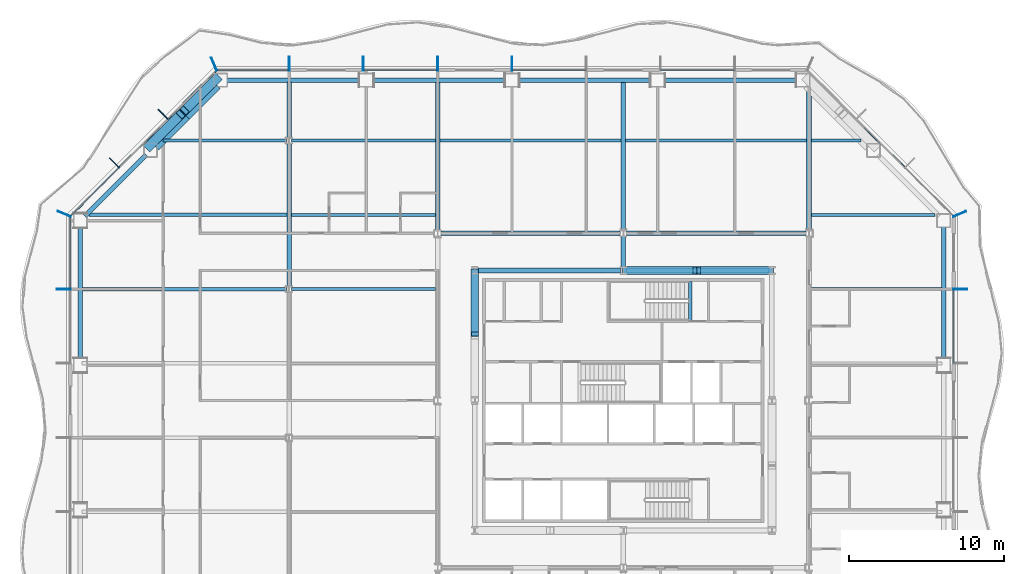
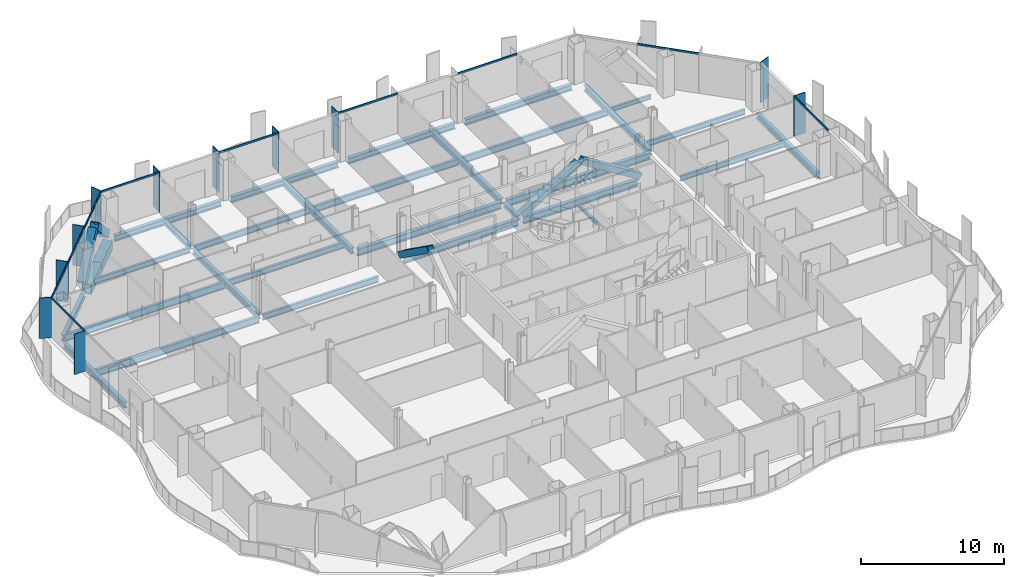
# One storey, part 3 of 18: 31 beams, 26 members, 5 elements without a shape of their own.
"""IFC4 building model written with IfcOpenShell, lengths in metres."""

from ifc_helpers import new_model, si_unit, direction, frame, origin, origin_2d, place, context, subcontext, project, spatial, rectangle, hollow_rectangle, i_section, extrude, material, material_profile, profile_set, type_object, element, aggregate, save


model = new_model("IFC4")

# Units and contexts
model_context = context("Model", 3, precision=1e-05, world=origin(), true_north=direction((0.0, 1.0)))
body_context = subcontext(model_context, "Body", "Model", "MODEL_VIEW")
ifc_project = project(units=[si_unit("LENGTHUNIT", "METRE"), si_unit("AREAUNIT", "SQUARE_METRE"), si_unit("VOLUMEUNIT", "CUBIC_METRE"), si_unit("PLANEANGLEUNIT", "RADIAN"), si_unit("MASSUNIT", "GRAM", prefix="KILO")], contexts=[model_context])

# Site, building, storey
site_placement = place(None, origin())
site = spatial("IfcSite", under=ifc_project, at=site_placement, CompositionType="ELEMENT")
building_placement = place(site_placement, origin())
building = spatial("IfcBuilding", under=site, at=building_placement, Name="Cairn Pilgrim Tower", CompositionType="ELEMENT")
storey_placement = place(building_placement, frame((0.0, 0.0, 65.39990234375)))
storey = spatial("IfcBuildingStorey", under=building, at=storey_placement, Name="L14", CompositionType="ELEMENT", Elevation=65.39990234375)

# Members
ifc_material_1 = material(Name="Structural steel S460M", Category="steel")
ifc_material_profile_1 = material_profile(ifc_material_1, hollow_rectangle(XDim=0.5, YDim=0.5, WallThickness=0.030029296875, at=origin_2d()), Name="BOX 500x500x30")
ifc_profile_set_1 = profile_set([ifc_material_profile_1], Name="Structural steel S460M")
member_type_1 = type_object("IfcMemberType", Name="BOX 500x500x30 BRACE", PredefinedType="BRACE", material=ifc_profile_set_1)
member_1_placement = place(storey_placement, frame((16.75634765625, 10.800048828125, 0.10009765625), z_axis=(-0.851002408489, 0.0, 0.525161785305), x_axis=(0.0, -1.0, 0.0)))
element("IfcMember", 1, at=member_1_placement, inside=storey, type_object=member_type_1, Name="KB-3A", PredefinedType="BRACE", context=body_context, shape_type="SweptSolid", body=[
    extrude(hollow_rectangle(XDim=0.5, YDim=0.5, WallThickness=0.030029296875, at=origin_2d()), origin(), (0.0, 0.0, 1.0), 5.526611328125),
])
member_2_placement = place(storey_placement, frame((7.24365234375, 10.800048828125, 0.10009765625), z_axis=(0.851007515624, 0.0, 0.525153509321), x_axis=(0.0, 1.0, 0.0)))
element("IfcMember", 2, at=member_2_placement, inside=storey, type_object=member_type_1, Name="KB-3B", PredefinedType="BRACE", context=body_context, shape_type="SweptSolid", body=[
    extrude(hollow_rectangle(XDim=0.5, YDim=0.5, WallThickness=0.030029296875, at=origin_2d()), origin(), (0.0, 0.0, 1.0), 5.37646484375),
])
member_3_placement = place(storey_placement, frame((-2.39990234375, 10.75634765625, 0.10009765625), z_axis=(0.0, -0.814198726233, 0.580586284889), x_axis=(1.0, 0.0, 0.0)))
element("IfcMember", 3, at=member_3_placement, inside=storey, type_object=member_type_1, Name="KB-4A", PredefinedType="BRACE", context=body_context, shape_type="SweptSolid", body=[
    extrude(hollow_rectangle(XDim=0.5, YDim=0.5, WallThickness=0.030029296875, at=origin_2d()), origin(), (0.0, 0.0, 1.0), 4.99658203125),
])
ifc_material_profile_2 = material_profile(ifc_material_1, hollow_rectangle(XDim=0.60009765625, YDim=0.60009765625, WallThickness=0.034912109375, at=origin_2d()), Name="BOX 600x600x35")
ifc_profile_set_2 = profile_set([ifc_material_profile_2], Name="Structural steel S460M")
member_type_2 = type_object("IfcMemberType", Name="BOX 600x600x35 BRACE", PredefinedType="BRACE", material=ifc_profile_set_2)
for number, where, z_axis, x_axis, name in (
    (4, (-19.078125, 23.2236328125, 0.150146484375), (-0.528943710525, -0.528943710525, 0.663654354459), (0.707106781187, -0.707106781187, 0.0), "XB-NW1-NW2-1"),
    (5, (-23.4873046875, 18.814697265625, 0.150146484375), (0.528960912345, 0.52889942671, 0.663675937214), (-0.70706568108, 0.707147878904, 0.0), "XB-NW1-NW2-2"),
):
    element("IfcMember", number, at=place(storey_placement, frame(where, z_axis=z_axis, x_axis=x_axis)), inside=storey, type_object=member_type_2, Name=name, PredefinedType="BRACE", context=body_context, shape_type="SweptSolid", body=[
        extrude(hollow_rectangle(XDim=0.60009765625, YDim=0.60009765625, WallThickness=0.034912109375, at=origin_2d()), origin(), (0.0, 0.0, 1.0), 3.970703125),
    ])

# Beams
ifc_material_2 = material(Name="Structural steel S355J2", Category="steel")
ifc_material_profile_3 = material_profile(ifc_material_2, hollow_rectangle(XDim=0.699951171875, YDim=0.800048828125, WallThickness=0.0400390625, at=origin_2d()), Name="BOX 700x800x40")
ifc_profile_set_3 = profile_set([ifc_material_profile_3], Name="Structural steel S355J2")
beam_type_1 = type_object("IfcBeamType", Name="BOX 700x800x40 RING GIRDER", PredefinedType="SPANDREL", material=ifc_profile_set_3)
beam_1_placement = place(storey_placement, frame((-19.113525390625, 22.813720703125, -0.5498046875), z_axis=(-0.707106781187, -0.707106781187, 0.0), x_axis=(0.707106781187, -0.707106781187, 0.0)))
element("IfcBeam", 6, at=beam_1_placement, inside=storey, type_object=beam_type_1, Name="RG1-NW1-NW2-1", PredefinedType="SPANDREL", context=body_context, shape_type="SweptSolid", body=[
    extrude(hollow_rectangle(XDim=0.699951171875, YDim=0.800048828125, WallThickness=0.0400390625, at=origin_2d()), origin(), (0.0, 0.0, 1.0), 2.802978515625),
])
beam_2_placement = place(storey_placement, frame((-21.095458984375, 20.831787109375, -0.5498046875), z_axis=(-0.707106781187, -0.707106781187, 0.0), x_axis=(0.707106781187, -0.707106781187, 0.0)))
element("IfcBeam", 7, at=beam_2_placement, inside=storey, type_object=beam_type_1, Name="RG1-NW1-NW2-2", PredefinedType="SPANDREL", context=body_context, shape_type="SweptSolid", body=[
    extrude(hollow_rectangle(XDim=0.699951171875, YDim=0.800048828125, WallThickness=0.0400390625, at=origin_2d()), origin(), (0.0, 0.0, 1.0), 2.802490234375),
])

# Curtain wall, member
ifc_material_3 = material(Name="Aluminium alloy 6063-T6 bronze anodised with Bronze tinted laminated low-E glass 8+16+8.8", Category="aluminium")
curtain_wall_type_1 = type_object("IfcCurtainWallType", Name="TOWER STICK CURTAIN WALL EW", PredefinedType="NOTDEFINED", material=ifc_material_3)
curtain_wall_1_placement = place(storey_placement, origin())
curtain_wall_1 = element("IfcCurtainWall", 8, at=curtain_wall_1_placement, inside=storey, type_object=curtain_wall_type_1, Name="Tower Stick Curtain Wall Ew E", PredefinedType="NOTDEFINED")
ifc_material_4 = material(Name="Aluminium alloy 6063-T6 bronze anodised", Category="aluminium")
ifc_material_profile_4 = material_profile(ifc_material_4, rectangle(XDim=0.89990234375, YDim=0.06005859375, at=origin_2d()), Name="FIN MULLION 60x900 BRONZE")
ifc_profile_set_4 = profile_set([ifc_material_profile_4], Name="Aluminium alloy 6063-T6 bronze anodised")
member_type_3 = type_object("IfcMemberType", Name="FIN MULLION 60x900 BRONZE", PredefinedType="MULLION", material=ifc_profile_set_4)
member_4_placement = place(storey_placement, frame((28.969970703125, 9.60009765625, 0.0), z_axis=(0.0, 0.0, 1.0), x_axis=(1.0, 0.0, 0.0)))
member_4 = element("IfcMember", 9, at=member_4_placement, type_object=member_type_3, Name="Fin mullion E6", PredefinedType="MULLION", context=body_context, shape_type="SweptSolid", body=[
    extrude(rectangle(XDim=0.89990234375, YDim=0.06005859375, at=origin_2d()), origin(), (0.0, 0.0, 1.0), 3.4501953125),
])

curtain_wall_type_2 = type_object("IfcCurtainWallType", Name="CHAMFER CORNER CURTAIN WALL", PredefinedType="NOTDEFINED", material=ifc_material_3)
curtain_wall_2_placement = place(storey_placement, origin())
curtain_wall_2 = element("IfcCurtainWall", 10, at=curtain_wall_2_placement, inside=storey, type_object=curtain_wall_type_2, Name="Chamfer Corner Curtain Wall NE", PredefinedType="NOTDEFINED")
member_5_placement = place(storey_placement, frame((28.93798828125, 14.457275390625, 0.0), z_axis=(0.0, 0.0, 1.0), x_axis=(0.923879532511, 0.382683432365, 0.0)))
member_5 = element("IfcMember", 11, at=member_5_placement, type_object=member_type_3, Name="Fin mullion NE1", PredefinedType="MULLION", context=body_context, shape_type="SweptSolid", body=[
    extrude(rectangle(XDim=0.89990234375, YDim=0.06005859375, at=origin_2d()), origin(), (0.0, 0.0, 1.0), 3.4501953125),
])

# Curtain wall, members
curtain_wall_type_3 = type_object("IfcCurtainWallType", Name="TOWER STICK CURTAIN WALL NS", PredefinedType="NOTDEFINED", material=ifc_material_3)
curtain_wall_3_placement = place(storey_placement, origin())
curtain_wall_3 = element("IfcCurtainWall", 12, at=curtain_wall_3_placement, inside=storey, type_object=curtain_wall_type_3, Name="Tower Stick Curtain Wall Ns N", PredefinedType="NOTDEFINED")
member_6_placement = place(storey_placement, frame((0.0, 24.169921875, 0.0), z_axis=(0.0, 0.0, 1.0), x_axis=(0.0, 1.0, 0.0)))
member_6 = element("IfcMember", 13, at=member_6_placement, type_object=member_type_3, Name="Fin mullion N5", PredefinedType="MULLION", context=body_context, shape_type="SweptSolid", body=[
    extrude(rectangle(XDim=0.89990234375, YDim=0.06005859375, at=origin_2d()), origin(), (0.0, 0.0, 1.0), 3.4501953125),
])
member_7_placement = place(storey_placement, frame((-4.800048828125, 24.169921875, 0.0), z_axis=(0.0, 0.0, 1.0), x_axis=(0.0, 1.0, 0.0)))
member_7 = element("IfcMember", 14, at=member_7_placement, type_object=member_type_3, Name="Fin mullion N6", PredefinedType="MULLION", context=body_context, shape_type="SweptSolid", body=[
    extrude(rectangle(XDim=0.89990234375, YDim=0.06005859375, at=origin_2d()), origin(), (0.0, 0.0, 1.0), 3.4501953125),
])
member_8_placement = place(storey_placement, frame((-9.60009765625, 24.169921875, 0.0), z_axis=(0.0, 0.0, 1.0), x_axis=(0.0, 1.0, 0.0)))
member_8 = element("IfcMember", 15, at=member_8_placement, type_object=member_type_3, Name="Fin mullion N7", PredefinedType="MULLION", context=body_context, shape_type="SweptSolid", body=[
    extrude(rectangle(XDim=0.89990234375, YDim=0.06005859375, at=origin_2d()), origin(), (0.0, 0.0, 1.0), 3.4501953125),
])
member_9_placement = place(storey_placement, frame((-14.39990234375, 24.169921875, 0.0), z_axis=(0.0, 0.0, 1.0), x_axis=(0.0, 1.0, 0.0)))
member_9 = element("IfcMember", 16, at=member_9_placement, type_object=member_type_3, Name="Fin mullion N8", PredefinedType="MULLION", context=body_context, shape_type="SweptSolid", body=[
    extrude(rectangle(XDim=0.89990234375, YDim=0.06005859375, at=origin_2d()), origin(), (0.0, 0.0, 1.0), 3.4501953125),
])

curtain_wall_4_placement = place(storey_placement, origin())
curtain_wall_4 = element("IfcCurtainWall", 17, at=curtain_wall_4_placement, inside=storey, type_object=curtain_wall_type_2, Name="Chamfer Corner Curtain Wall NW", PredefinedType="NOTDEFINED")
member_10_placement = place(storey_placement, frame((-19.257080078125, 24.137939453125, 0.0), z_axis=(0.0, 0.0, 1.0), x_axis=(-0.382683432365, 0.923879532511, 0.0)))
member_10 = element("IfcMember", 18, at=member_10_placement, type_object=member_type_3, Name="Fin mullion NW1", PredefinedType="MULLION", context=body_context, shape_type="SweptSolid", body=[
    extrude(rectangle(XDim=0.89990234375, YDim=0.06005859375, at=origin_2d()), origin(), (0.0, 0.0, 1.0), 3.4501953125),
])
member_11_placement = place(storey_placement, frame((-22.544677734375, 20.895751953125, 0.0), z_axis=(0.0, 0.0, 1.0), x_axis=(-0.707106781187, 0.707106781187, 0.0)))
member_11 = element("IfcMember", 19, at=member_11_placement, type_object=member_type_3, Name="Fin mullion NW2", PredefinedType="MULLION", context=body_context, shape_type="SweptSolid", body=[
    extrude(rectangle(XDim=0.89990234375, YDim=0.06005859375, at=origin_2d()), origin(), (0.0, 0.0, 1.0), 3.4501953125),
])
member_12_placement = place(storey_placement, frame((-25.69580078125, 17.74462890625, 0.0), z_axis=(0.0, 0.0, 1.0), x_axis=(-0.707106781187, 0.707106781187, 0.0)))
member_12 = element("IfcMember", 20, at=member_12_placement, type_object=member_type_3, Name="Fin mullion NW3", PredefinedType="MULLION", context=body_context, shape_type="SweptSolid", body=[
    extrude(rectangle(XDim=0.89990234375, YDim=0.06005859375, at=origin_2d()), origin(), (0.0, 0.0, 1.0), 3.4501953125),
])

curtain_wall_5_placement = place(storey_placement, origin())
curtain_wall_5 = element("IfcCurtainWall", 21, at=curtain_wall_5_placement, inside=storey, type_object=curtain_wall_type_1, Name="Tower Stick Curtain Wall Ew W", PredefinedType="NOTDEFINED")
member_13_placement = place(storey_placement, frame((-28.93798828125, 14.457275390625, 0.0), z_axis=(0.0, 0.0, 1.0), x_axis=(-0.923879532511, 0.382683432365, 0.0)))
member_13 = element("IfcMember", 22, at=member_13_placement, type_object=member_type_3, Name="Fin mullion W1", PredefinedType="MULLION", context=body_context, shape_type="SweptSolid", body=[
    extrude(rectangle(XDim=0.89990234375, YDim=0.06005859375, at=origin_2d()), origin(), (0.0, 0.0, 1.0), 3.4501953125),
])
member_14_placement = place(storey_placement, frame((-28.969970703125, 9.60009765625, 0.0), z_axis=(0.0, 0.0, 1.0), x_axis=(-1.0, 0.0, 0.0)))
member_14 = element("IfcMember", 23, at=member_14_placement, type_object=member_type_3, Name="Fin mullion W2", PredefinedType="MULLION", context=body_context, shape_type="SweptSolid", body=[
    extrude(rectangle(XDim=0.89990234375, YDim=0.06005859375, at=origin_2d()), origin(), (0.0, 0.0, 1.0), 3.4501953125),
])

# Beams
ifc_material_profile_5 = material_profile(ifc_material_2, i_section(OverallWidth=0.300048828125, OverallDepth=0.39990234375, WebThickness=0.013427734375, FlangeThickness=0.02392578125, FilletRadius=0.027099609375, at=origin_2d()), Name="HEB 400")
ifc_profile_set_5 = profile_set([ifc_material_profile_5], Name="Structural steel S355J2")
beam_type_2 = type_object("IfcBeamType", Name="HEB 400 GIRDER", PredefinedType="BEAM", material=ifc_profile_set_5)
beam_3_placement = place(storey_placement, frame((-14.39990234375, 19.404541015625, -0.349853515625), z_axis=(0.0, 1.0, 0.0), x_axis=(-1.0, 0.0, 0.0)))
element("IfcBeam", 24, at=beam_3_placement, inside=storey, type_object=beam_type_2, Name="PG1-6", PredefinedType="BEAM", context=body_context, shape_type="SweptSolid", body=[
    extrude(i_section(OverallWidth=0.300048828125, OverallDepth=0.39990234375, WebThickness=0.013427734375, FlangeThickness=0.02392578125, FilletRadius=0.027099609375, at=origin_2d()), origin(), (0.0, 0.0, 1.0), 3.575439453125),
])
beam_4_placement = place(storey_placement, frame((7.199951171875, 11.0185546875, -0.349853515625), z_axis=(0.0, 1.0, 0.0), x_axis=(-1.0, 0.0, 0.0)))
element("IfcBeam", 25, at=beam_4_placement, inside=storey, type_object=beam_type_2, Name="PG3-E2", PredefinedType="BEAM", context=body_context, shape_type="SweptSolid", body=[
    extrude(i_section(OverallWidth=0.300048828125, OverallDepth=0.39990234375, WebThickness=0.013427734375, FlangeThickness=0.02392578125, FilletRadius=0.027099609375, at=origin_2d()), origin(), (0.0, 0.0, 1.0), 1.969482421875),
])
ifc_material_profile_6 = material_profile(ifc_material_2, i_section(OverallWidth=0.300048828125, OverallDepth=0.5, WebThickness=0.014404296875, FlangeThickness=0.028076171875, FilletRadius=0.027099609375, at=origin_2d()), Name="HEB 500")
ifc_profile_set_6 = profile_set([ifc_material_profile_6], Name="Structural steel S355J2")
beam_type_3 = type_object("IfcBeamType", Name="HEB 500 GIRDER", PredefinedType="BEAM", material=ifc_profile_set_6)
beam_5_placement = place(storey_placement, frame((-14.39990234375, 9.804443359375, -0.39990234375), z_axis=(0.0, 1.0, 0.0), x_axis=(-1.0, 0.0, 0.0)))
element("IfcBeam", 26, at=beam_5_placement, inside=storey, type_object=beam_type_3, Name="PG1-5", PredefinedType="BEAM", context=body_context, shape_type="SweptSolid", body=[
    extrude(i_section(OverallWidth=0.300048828125, OverallDepth=0.5, WebThickness=0.014404296875, FlangeThickness=0.028076171875, FilletRadius=0.027099609375, at=origin_2d()), origin(), (0.0, 0.0, 1.0), 9.191162109375),
])
for number, where, z_axis, x_axis, name in (
    (27, (-4.800048828125, 13.412109375, -0.39990234375), (0.0, 1.0, 0.0), (-1.0, 0.0, 0.0), "PG2-4"),
    (28, (7.199951171875, 13.412109375, -0.39990234375), (0.0, 1.0, 0.0), (-1.0, 0.0, 0.0), "PG3-2"),
):
    element("IfcBeam", number, at=place(storey_placement, frame(where, z_axis=z_axis, x_axis=x_axis)), inside=storey, type_object=beam_type_3, Name=name, PredefinedType="BEAM", context=body_context, shape_type="SweptSolid", body=[
        extrude(i_section(OverallWidth=0.300048828125, OverallDepth=0.5, WebThickness=0.014404296875, FlangeThickness=0.028076171875, FilletRadius=0.027099609375, at=origin_2d()), origin(), (0.0, 0.0, 1.0), 9.56787109375),
    ])
beam_6_placement = place(storey_placement, frame((19.199951171875, 13.412109375, -0.39990234375), z_axis=(0.0, 1.0, 0.0), x_axis=(-1.0, 0.0, 0.0)))
element("IfcBeam", 29, at=beam_6_placement, inside=storey, type_object=beam_type_3, Name="PG4-4", PredefinedType="BEAM", context=body_context, shape_type="SweptSolid", body=[
    extrude(i_section(OverallWidth=0.300048828125, OverallDepth=0.5, WebThickness=0.014404296875, FlangeThickness=0.028076171875, FilletRadius=0.027099609375, at=origin_2d()), origin(), (0.0, 0.0, 1.0), 9.133056640625),
])
ifc_material_profile_7 = material_profile(ifc_material_2, i_section(OverallWidth=0.300048828125, OverallDepth=0.5, WebThickness=0.014404296875, FlangeThickness=0.028076171875, FilletRadius=0.027099609375, at=origin_2d()), Name="HEB 500")
ifc_profile_set_7 = profile_set([ifc_material_profile_7], Name="Structural steel S355J2")
beam_type_4 = type_object("IfcBeamType", Name="HEB 500 RING GIRDER", PredefinedType="SPANDREL", material=ifc_profile_set_7)
beam_7_placement = place(storey_placement, frame((27.89990234375, 5.080810546875, -0.39990234375), z_axis=(0.0, 1.0, 0.0), x_axis=(-1.0, 0.0, 0.0)))
element("IfcBeam", 30, at=beam_7_placement, inside=storey, type_object=beam_type_4, Name="RG1-E3-NE1", PredefinedType="SPANDREL", context=body_context, shape_type="SweptSolid", body=[
    extrude(i_section(OverallWidth=0.300048828125, OverallDepth=0.5, WebThickness=0.014404296875, FlangeThickness=0.028076171875, FilletRadius=0.027099609375, at=origin_2d()), origin(), (0.0, 0.0, 1.0), 8.54150390625),
])
for number, where, z_axis, x_axis, name in (
    (31, (18.422119140625, 23.10009765625, -0.39990234375), (-1.0, 0.0, 0.0), (0.0, -1.0, 0.0), "RG1-N1-N2"),
    (32, (9.008544921875, 23.10009765625, -0.39990234375), (-1.0, 0.0, 0.0), (0.0, -1.0, 0.0), "RG1-N2-N3"),
    (33, (-0.405029296875, 23.10009765625, -0.39990234375), (-1.0, 0.0, 0.0), (0.0, -1.0, 0.0), "RG1-N3-N4"),
    (34, (-9.818603515625, 23.10009765625, -0.39990234375), (-1.0, 0.0, 0.0), (0.0, -1.0, 0.0), "RG1-N4-NW1"),
):
    element("IfcBeam", number, at=place(storey_placement, frame(where, z_axis=z_axis, x_axis=x_axis)), inside=storey, type_object=beam_type_4, Name=name, PredefinedType="SPANDREL", context=body_context, shape_type="SweptSolid", body=[
        extrude(i_section(OverallWidth=0.300048828125, OverallDepth=0.5, WebThickness=0.014404296875, FlangeThickness=0.028076171875, FilletRadius=0.027099609375, at=origin_2d()), origin(), (0.0, 0.0, 1.0), 8.603515625),
    ])
beam_8_placement = place(storey_placement, frame((-23.64990234375, 18.277099609375, -0.39990234375), z_axis=(-0.707128558756, -0.707085002947, 0.0), x_axis=(0.707085002947, -0.707128558756, 0.0)))
element("IfcBeam", 35, at=beam_8_placement, inside=storey, type_object=beam_type_4, Name="RG1-NW2-W1", PredefinedType="SPANDREL", context=body_context, shape_type="SweptSolid", body=[
    extrude(i_section(OverallWidth=0.300048828125, OverallDepth=0.5, WebThickness=0.014404296875, FlangeThickness=0.028076171875, FilletRadius=0.027099609375, at=origin_2d()), origin(), (0.0, 0.0, 1.0), 5.605224609375),
])
beam_9_placement = place(storey_placement, frame((-27.89990234375, 13.622314453125, -0.39990234375), z_axis=(0.0, -1.0, 0.0), x_axis=(1.0, 0.0, 0.0)))
element("IfcBeam", 36, at=beam_9_placement, inside=storey, type_object=beam_type_4, Name="RG1-W1-W2", PredefinedType="SPANDREL", context=body_context, shape_type="SweptSolid", body=[
    extrude(i_section(OverallWidth=0.300048828125, OverallDepth=0.5, WebThickness=0.014404296875, FlangeThickness=0.028076171875, FilletRadius=0.027099609375, at=origin_2d()), origin(), (0.0, 0.0, 1.0), 8.54150390625),
])
ifc_material_profile_8 = material_profile(ifc_material_2, i_section(OverallWidth=0.300048828125, OverallDepth=0.60009765625, WebThickness=0.015380859375, FlangeThickness=0.030029296875, FilletRadius=0.027099609375, at=origin_2d()), Name="HEB 600")
ifc_profile_set_8 = profile_set([ifc_material_profile_8], Name="Structural steel S355J2")
beam_type_5 = type_object("IfcBeamType", Name="HEB 600 CORE BEAM", PredefinedType="BEAM", material=ifc_profile_set_8)
beam_10_placement = place(storey_placement, frame((16.603271484375, 10.800048828125, -0.449951171875), z_axis=(-1.0, 0.0, 0.0), x_axis=(0.0, -1.0, 0.0)))
element("IfcBeam", 37, at=beam_10_placement, inside=storey, type_object=beam_type_5, Name="CB-5", PredefinedType="BEAM", context=body_context, shape_type="SweptSolid", body=[
    extrude(i_section(OverallWidth=0.300048828125, OverallDepth=0.60009765625, WebThickness=0.015380859375, FlangeThickness=0.030029296875, FilletRadius=0.027099609375, at=origin_2d()), origin(), (0.0, 0.0, 1.0), 9.20654296875),
])
beam_11_placement = place(storey_placement, frame((7.00341796875, 10.800048828125, -0.449951171875), z_axis=(-1.0, 0.0, 0.0), x_axis=(0.0, -1.0, 0.0)))
element("IfcBeam", 38, at=beam_11_placement, inside=storey, type_object=beam_type_5, Name="CB-6", PredefinedType="BEAM", context=body_context, shape_type="SweptSolid", body=[
    extrude(i_section(OverallWidth=0.300048828125, OverallDepth=0.60009765625, WebThickness=0.015380859375, FlangeThickness=0.030029296875, FilletRadius=0.027099609375, at=origin_2d()), origin(), (0.0, 0.0, 1.0), 9.206787109375),
])
ifc_material_profile_9 = material_profile(ifc_material_2, i_section(OverallWidth=0.300048828125, OverallDepth=0.60009765625, WebThickness=0.015380859375, FlangeThickness=0.030029296875, FilletRadius=0.027099609375, at=origin_2d()), Name="HEB 600")
ifc_profile_set_9 = profile_set([ifc_material_profile_9], Name="Structural steel S355J2")
beam_type_6 = type_object("IfcBeamType", Name="HEB 600 INNER GIRDER", PredefinedType="BEAM", material=ifc_profile_set_9)
for number, where, z_axis, x_axis, name in (
    (39, (-4.587890625, 13.199951171875, -0.449951171875), (1.0, 0.0, 0.0), (0.0, 1.0, 0.0), "IG2-1"),
    (40, (7.412109375, 13.199951171875, -0.449951171875), (1.0, 0.0, 0.0), (0.0, 1.0, 0.0), "IG2-2"),
):
    element("IfcBeam", number, at=place(storey_placement, frame(where, z_axis=z_axis, x_axis=x_axis)), inside=storey, type_object=beam_type_6, Name=name, PredefinedType="BEAM", context=body_context, shape_type="SweptSolid", body=[
        extrude(i_section(OverallWidth=0.300048828125, OverallDepth=0.60009765625, WebThickness=0.015380859375, FlangeThickness=0.030029296875, FilletRadius=0.027099609375, at=origin_2d()), origin(), (0.0, 0.0, 1.0), 11.575927734375),
    ])
ifc_material_profile_10 = material_profile(ifc_material_2, i_section(OverallWidth=0.169921875, OverallDepth=0.360107421875, WebThickness=0.008056640625, FlangeThickness=0.0126953125, FilletRadius=0.01806640625, at=origin_2d()), Name="IPE 360")
ifc_profile_set_10 = profile_set([ifc_material_profile_10], Name="Structural steel S355J2")
beam_type_7 = type_object("IfcBeamType", Name="IPE 360 SECONDARY BEAM", PredefinedType="JOIST", material=ifc_profile_set_10)
beam_12_placement = place(storey_placement, frame((19.35009765625, 19.199951171875, -0.329833984375), z_axis=(1.0, 0.0, 0.0), x_axis=(0.0, 1.0, 0.0)))
element("IfcBeam", 41, at=beam_12_placement, inside=storey, type_object=beam_type_7, Name="SB9-5", PredefinedType="JOIST", context=body_context, shape_type="SweptSolid", body=[
    extrude(i_section(OverallWidth=0.169921875, OverallDepth=0.360107421875, WebThickness=0.008056640625, FlangeThickness=0.0126953125, FilletRadius=0.01806640625, at=origin_2d()), origin(), (0.0, 0.0, 1.0), 3.195068359375),
])
ifc_material_profile_11 = material_profile(ifc_material_2, i_section(OverallWidth=0.18994140625, OverallDepth=0.449951171875, WebThickness=0.009521484375, FlangeThickness=0.0146484375, FilletRadius=0.02099609375, at=origin_2d()), Name="IPE 450")
ifc_profile_set_11 = profile_set([ifc_material_profile_11], Name="Structural steel S355J2")
beam_type_8 = type_object("IfcBeamType", Name="IPE 450 SECONDARY BEAM", PredefinedType="JOIST", material=ifc_profile_set_11)
beam_13_placement = place(storey_placement, frame((19.35009765625, 9.60009765625, -0.375), z_axis=(1.0, 0.0, 0.0), x_axis=(0.0, 1.0, 0.0)))
element("IfcBeam", 42, at=beam_13_placement, inside=storey, type_object=beam_type_8, Name="SB7-3", PredefinedType="JOIST", context=body_context, shape_type="SweptSolid", body=[
    extrude(i_section(OverallWidth=0.18994140625, OverallDepth=0.449951171875, WebThickness=0.009521484375, FlangeThickness=0.0146484375, FilletRadius=0.02099609375, at=origin_2d()), origin(), (0.0, 0.0, 1.0), 8.429931640625),
])
for number, where, z_axis, x_axis, name in (
    (43, (19.35009765625, 14.39990234375, -0.375), (1.0, 0.0, 0.0), (0.0, 1.0, 0.0), "SB8-3"),
    (44, (-22.545166015625, 19.199951171875, -0.375), (1.0, 0.0, 0.0), (0.0, 1.0, 0.0), "SB9-1"),
):
    element("IfcBeam", number, at=place(storey_placement, frame(where, z_axis=z_axis, x_axis=x_axis)), inside=storey, type_object=beam_type_8, Name=name, PredefinedType="JOIST", context=body_context, shape_type="SweptSolid", body=[
        extrude(i_section(OverallWidth=0.18994140625, OverallDepth=0.449951171875, WebThickness=0.009521484375, FlangeThickness=0.0146484375, FilletRadius=0.02099609375, at=origin_2d()), origin(), (0.0, 0.0, 1.0), 7.9951171875),
    ])
ifc_material_profile_12 = material_profile(ifc_material_2, i_section(OverallWidth=0.199951171875, OverallDepth=0.5, WebThickness=0.01025390625, FlangeThickness=0.01611328125, FilletRadius=0.02099609375, at=origin_2d()), Name="IPE 500")
ifc_profile_set_12 = profile_set([ifc_material_profile_12], Name="Structural steel S355J2")
beam_type_9 = type_object("IfcBeamType", Name="IPE 500 SECONDARY BEAM", PredefinedType="JOIST", material=ifc_profile_set_12)
for number, where, z_axis, x_axis, name in (
    (45, (-14.25, 9.60009765625, -0.39990234375), (1.0, 0.0, 0.0), (0.0, 1.0, 0.0), "SB7-2"),
    (46, (-14.25, 14.39990234375, -0.39990234375), (1.0, 0.0, 0.0), (0.0, 1.0, 0.0), "SB8-2"),
    (47, (-14.25, 19.199951171875, -0.39990234375), (1.0, 0.0, 0.0), (0.0, 1.0, 0.0), "SB9-2"),
):
    element("IfcBeam", number, at=place(storey_placement, frame(where, z_axis=z_axis, x_axis=x_axis)), inside=storey, type_object=beam_type_9, Name=name, PredefinedType="JOIST", context=body_context, shape_type="SweptSolid", body=[
        extrude(i_section(OverallWidth=0.199951171875, OverallDepth=0.5, WebThickness=0.01025390625, FlangeThickness=0.01611328125, FilletRadius=0.02099609375, at=origin_2d()), origin(), (0.0, 0.0, 1.0), 9.300048828125),
    ])
ifc_material_profile_13 = material_profile(ifc_material_2, i_section(OverallWidth=0.2099609375, OverallDepth=0.550048828125, WebThickness=0.010986328125, FlangeThickness=0.01708984375, FilletRadius=0.02392578125, at=origin_2d()), Name="IPE 550")
ifc_profile_set_13 = profile_set([ifc_material_profile_13], Name="Structural steel S355J2")
beam_type_10 = type_object("IfcBeamType", Name="IPE 550 SECONDARY BEAM", PredefinedType="JOIST", material=ifc_profile_set_13)
for number, where, z_axis, x_axis, name in (
    (48, (-4.64990234375, 19.199951171875, -0.4248046875), (1.0, 0.0, 0.0), (0.0, 1.0, 0.0), "SB9-3"),
    (49, (7.35009765625, 19.199951171875, -0.4248046875), (1.0, 0.0, 0.0), (0.0, 1.0, 0.0), "SB9-4"),
):
    element("IfcBeam", number, at=place(storey_placement, frame(where, z_axis=z_axis, x_axis=x_axis)), inside=storey, type_object=beam_type_10, Name=name, PredefinedType="JOIST", context=body_context, shape_type="SweptSolid", body=[
        extrude(i_section(OverallWidth=0.2099609375, OverallDepth=0.550048828125, WebThickness=0.010986328125, FlangeThickness=0.01708984375, FilletRadius=0.02392578125, at=origin_2d()), origin(), (0.0, 0.0, 1.0), 11.699951171875),
    ])
ifc_material_profile_14 = material_profile(ifc_material_2, i_section(OverallWidth=0.219970703125, OverallDepth=0.60009765625, WebThickness=0.011962890625, FlangeThickness=0.01904296875, FilletRadius=0.02392578125, at=origin_2d()), Name="IPE 600")
ifc_profile_set_14 = profile_set([ifc_material_profile_14], Name="Structural steel S355J2")
beam_type_11 = type_object("IfcBeamType", Name="IPE 600 SECONDARY BEAM", PredefinedType="JOIST", material=ifc_profile_set_14)
beam_14_placement = place(storey_placement, frame((-27.780029296875, 9.60009765625, -0.449951171875), z_axis=(1.0, 0.0, 0.0), x_axis=(0.0, 1.0, 0.0)))
element("IfcBeam", 50, at=beam_14_placement, inside=storey, type_object=beam_type_11, Name="SB7-1", PredefinedType="JOIST", context=body_context, shape_type="SweptSolid", body=[
    extrude(i_section(OverallWidth=0.219970703125, OverallDepth=0.60009765625, WebThickness=0.011962890625, FlangeThickness=0.01904296875, FilletRadius=0.02392578125, at=origin_2d()), origin(), (0.0, 0.0, 1.0), 13.22998046875),
])
beam_15_placement = place(storey_placement, frame((-27.34521484375, 14.39990234375, -0.449951171875), z_axis=(1.0, 0.0, 0.0), x_axis=(0.0, 1.0, 0.0)))
element("IfcBeam", 51, at=beam_15_placement, inside=storey, type_object=beam_type_11, Name="SB8-1", PredefinedType="JOIST", context=body_context, shape_type="SweptSolid", body=[
    extrude(i_section(OverallWidth=0.219970703125, OverallDepth=0.60009765625, WebThickness=0.011962890625, FlangeThickness=0.01904296875, FilletRadius=0.02392578125, at=origin_2d()), origin(), (0.0, 0.0, 1.0), 12.795166015625),
])
ifc_material_profile_15 = material_profile(ifc_material_2, i_section(OverallWidth=0.199951171875, OverallDepth=0.199951171875, WebThickness=0.009033203125, FlangeThickness=0.014892578125, FilletRadius=0.01806640625, at=origin_2d()), Name="HE 200 B")
ifc_profile_set_15 = profile_set([ifc_material_profile_15], Name="Structural steel S355J2")
beam_type_12 = type_object("IfcBeamType", Name="STAIR LANDING BEAM HE 200 B", PredefinedType="BEAM", material=ifc_profile_set_15)
beam_16_placement = place(storey_placement, frame((11.5244140625, 10.10009765625, -0.25), z_axis=(0.0, -1.0, 0.0), x_axis=(1.0, 0.0, 0.0)))
element("IfcBeam", 52, at=beam_16_placement, inside=storey, type_object=beam_type_12, Name="STAIR LANDING BEAM LD-HE200B", PredefinedType="BEAM", context=body_context, shape_type="SweptSolid", body=[
    extrude(i_section(OverallWidth=0.199951171875, OverallDepth=0.199951171875, WebThickness=0.009033203125, FlangeThickness=0.014892578125, FilletRadius=0.01806640625, at=origin_2d()), origin(), (0.0, 0.0, 1.0), 2.525146484375),
])

# Member
ifc_material_profile_16 = material_profile(ifc_material_4, rectangle(XDim=0.080078125, YDim=0.14990234375, at=origin_2d()), Name="TRANSOM 80x150 BRONZE")
ifc_profile_set_16 = profile_set([ifc_material_profile_16], Name="Aluminium alloy 6063-T6 bronze anodised")
member_type_4 = type_object("IfcMemberType", Name="TRANSOM 80x150 BRONZE", PredefinedType="USERDEFINED", material=ifc_profile_set_16)
member_15_placement = place(storey_placement, frame((28.550048828125, 4.830078125, 3.375), z_axis=(0.0, 1.0, 0.0), x_axis=(-1.0, 0.0, 0.0)))
member_15 = element("IfcMember", 53, at=member_15_placement, type_object=member_type_4, Name="Transom E5", ObjectType="TRANSOM", PredefinedType="USERDEFINED", context=body_context, shape_type="SweptSolid", body=[
    extrude(rectangle(XDim=0.080078125, YDim=0.14990234375, at=origin_2d()), origin(), (0.0, 0.0, 1.0), 4.739990234375),
])

aggregate(curtain_wall_1, [member_4, member_15])

member_16_placement = place(storey_placement, frame((25.377685546875, 17.46875, 3.375), z_axis=(-0.707106781187, 0.707106781187, 0.0), x_axis=(-0.707106781187, -0.707106781187, 0.0)))
member_16 = element("IfcMember", 54, at=member_16_placement, type_object=member_type_4, Name="Transom NE2", ObjectType="TRANSOM", PredefinedType="USERDEFINED", context=body_context, shape_type="SweptSolid", body=[
    extrude(rectangle(XDim=0.080078125, YDim=0.14990234375, at=origin_2d()), origin(), (0.0, 0.0, 1.0), 4.396728515625),
])

aggregate(curtain_wall_2, [member_5, member_16])

member_17_placement = place(storey_placement, frame((14.3701171875, 23.75, 3.375), z_axis=(-1.0, 0.0, 0.0), x_axis=(0.0, -1.0, 0.0)))
member_17 = element("IfcMember", 55, at=member_17_placement, type_object=member_type_4, Name="Transom N2", ObjectType="TRANSOM", PredefinedType="USERDEFINED", context=body_context, shape_type="SweptSolid", body=[
    extrude(rectangle(XDim=0.080078125, YDim=0.14990234375, at=origin_2d()), origin(), (0.0, 0.0, 1.0), 4.740234375),
])

member_18_placement = place(storey_placement, frame((4.77001953125, 23.75, 3.375), z_axis=(-1.0, 0.0, 0.0), x_axis=(0.0, -1.0, 0.0)))
member_18 = element("IfcMember", 56, at=member_18_placement, type_object=member_type_4, Name="Transom N4", ObjectType="TRANSOM", PredefinedType="USERDEFINED", context=body_context, shape_type="SweptSolid", body=[
    extrude(rectangle(XDim=0.080078125, YDim=0.14990234375, at=origin_2d()), origin(), (0.0, 0.0, 1.0), 4.739990234375),
])

member_19_placement = place(storey_placement, frame((-4.830078125, 23.75, 3.375), z_axis=(-1.0, 0.0, 0.0), x_axis=(0.0, -1.0, 0.0)))
member_19 = element("IfcMember", 57, at=member_19_placement, type_object=member_type_4, Name="Transom N6", ObjectType="TRANSOM", PredefinedType="USERDEFINED", context=body_context, shape_type="SweptSolid", body=[
    extrude(rectangle(XDim=0.080078125, YDim=0.14990234375, at=origin_2d()), origin(), (0.0, 0.0, 1.0), 4.739990234375),
])

member_20_placement = place(storey_placement, frame((-14.429931640625, 23.75, 3.375), z_axis=(-1.0, 0.0, 0.0), x_axis=(0.0, -1.0, 0.0)))
member_20 = element("IfcMember", 58, at=member_20_placement, type_object=member_type_4, Name="Transom N8", ObjectType="TRANSOM", PredefinedType="USERDEFINED", context=body_context, shape_type="SweptSolid", body=[
    extrude(rectangle(XDim=0.080078125, YDim=0.14990234375, at=origin_2d()), origin(), (0.0, 0.0, 1.0), 4.62646484375),
])

aggregate(curtain_wall_3, [member_6, member_7, member_8, member_9, member_17, member_18, member_19, member_20])

member_21_placement = place(storey_placement, frame((-19.124755859375, 23.7216796875, 3.375), z_axis=(-0.707106781187, -0.707106781187, 0.0), x_axis=(0.707106781187, -0.707106781187, 0.0)))
member_21 = element("IfcMember", 59, at=member_21_placement, type_object=member_type_4, Name="Transom NW1", ObjectType="TRANSOM", PredefinedType="USERDEFINED", context=body_context, shape_type="SweptSolid", body=[
    extrude(rectangle(XDim=0.080078125, YDim=0.14990234375, at=origin_2d()), origin(), (0.0, 0.0, 1.0), 4.38623046875),
])

member_22_placement = place(storey_placement, frame((-22.268798828125, 20.57763671875, 3.375), z_axis=(-0.707106781187, -0.707106781187, 0.0), x_axis=(0.707106781187, -0.707106781187, 0.0)))
member_22 = element("IfcMember", 60, at=member_22_placement, type_object=member_type_4, Name="Transom NW2", ObjectType="TRANSOM", PredefinedType="USERDEFINED", context=body_context, shape_type="SweptSolid", body=[
    extrude(rectangle(XDim=0.080078125, YDim=0.14990234375, at=origin_2d()), origin(), (0.0, 0.0, 1.0), 4.396728515625),
])

member_23_placement = place(storey_placement, frame((-25.419921875, 17.426513671875, 3.375), z_axis=(-0.707106781187, -0.707106781187, 0.0), x_axis=(0.707106781187, -0.707106781187, 0.0)))
member_23 = element("IfcMember", 61, at=member_23_placement, type_object=member_type_4, Name="Transom NW3", ObjectType="TRANSOM", PredefinedType="USERDEFINED", context=body_context, shape_type="SweptSolid", body=[
    extrude(rectangle(XDim=0.080078125, YDim=0.14990234375, at=origin_2d()), origin(), (0.0, 0.0, 1.0), 4.38671875),
])

aggregate(curtain_wall_4, [member_10, member_11, member_12, member_21, member_22, member_23])

member_24_placement = place(storey_placement, frame((-28.550048828125, 14.25634765625, 3.375), z_axis=(0.0, -1.0, 0.0), x_axis=(1.0, 0.0, 0.0)))
member_24 = element("IfcMember", 62, at=member_24_placement, type_object=member_type_4, Name="Transom W1", ObjectType="TRANSOM", PredefinedType="USERDEFINED", context=body_context, shape_type="SweptSolid", body=[
    extrude(rectangle(XDim=0.080078125, YDim=0.14990234375, at=origin_2d()), origin(), (0.0, 0.0, 1.0), 4.62646484375),
])

aggregate(curtain_wall_5, [member_13, member_14, member_24])

save(model, "model.ifc")
